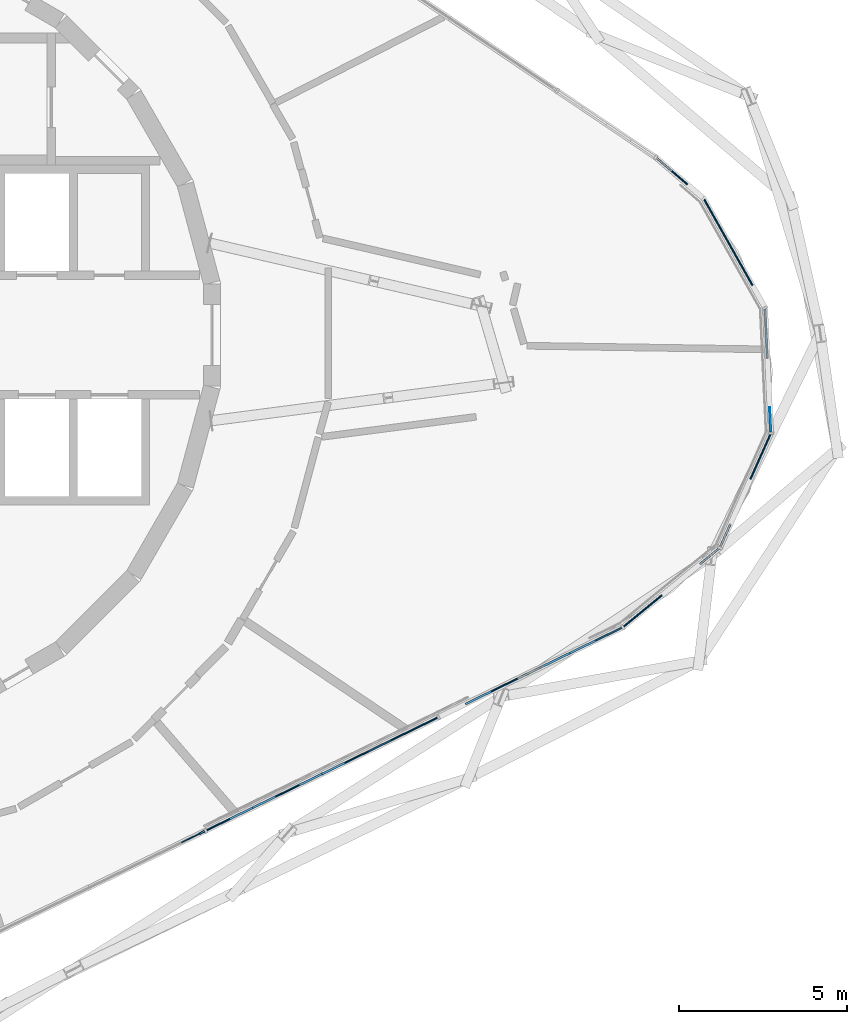
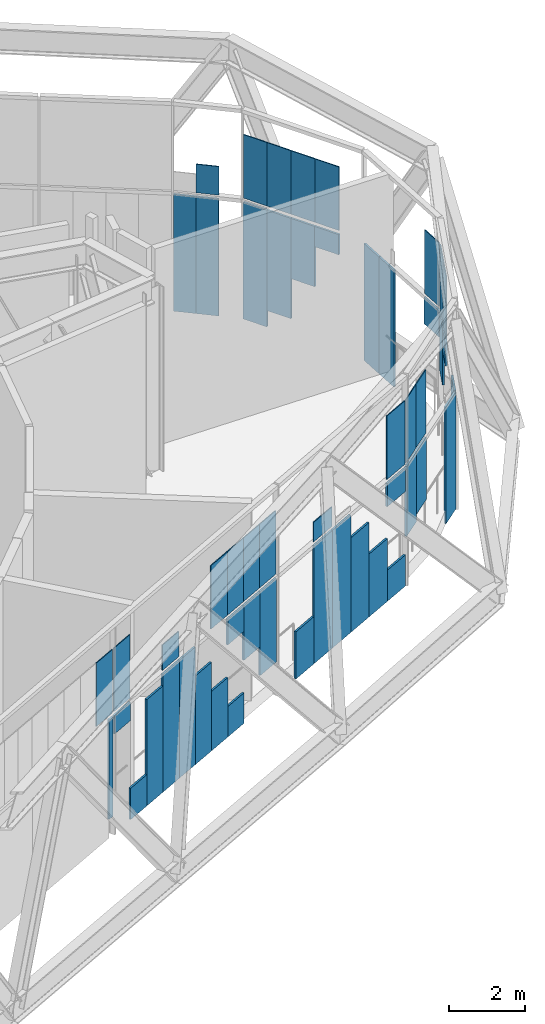
# One storey, part 12 of 24: 53 plates, 2 elements without a shape of their own.
"""IFC4 building model written with IfcOpenShell, lengths in metres."""

from ifc_helpers import new_model, si_unit, direction, frame, origin, origin_2d, place, context, subcontext, project, spatial, rectangle, extrude, material, layer, layer_set, type_object, element, aggregate, save


model = new_model("IFC4")

# Units and contexts
model_context = context("Model", 3, precision=1e-05, world=origin(), true_north=direction((0.0, 1.0)))
body_context = subcontext(model_context, "Body", "Model", "MODEL_VIEW")
ifc_project = project(units=[si_unit("LENGTHUNIT", "METRE"), si_unit("AREAUNIT", "SQUARE_METRE"), si_unit("VOLUMEUNIT", "CUBIC_METRE"), si_unit("PLANEANGLEUNIT", "RADIAN"), si_unit("MASSUNIT", "GRAM", prefix="KILO")], contexts=[model_context])

# Site, building, storey
site_placement = place(None, origin())
site = spatial("IfcSite", under=ifc_project, at=site_placement, CompositionType="ELEMENT")
building_placement = place(site_placement, origin())
building = spatial("IfcBuilding", under=site, at=building_placement, Name="Spindle Arch Residences", CompositionType="ELEMENT")
storey_placement = place(building_placement, frame((0.0, 0.0, 219.89990234375)))
storey = spatial("IfcBuildingStorey", under=building, at=storey_placement, Name="L56", CompositionType="ELEMENT", Elevation=219.89990234375)

# Curtain wall, plates
ifc_material_1 = material(Name="Aluminium bronze unitised frame with tinted glass", Category="aluminium")
ifc_layer_1 = layer(ifc_material_1, 0.159912109375)
ifc_layer_set_1 = layer_set([ifc_layer_1], Name="CW-E double-height winter garden wall")
curtain_wall_type = type_object("IfcCurtainWallType", Name="CW-E double-height winter garden wall", PredefinedType="NOTDEFINED", material=ifc_layer_set_1)
curtain_wall_1_placement = place(storey_placement, origin())
curtain_wall_1 = element("IfcCurtainWall", 1, at=curtain_wall_1_placement, inside=storey, type_object=curtain_wall_type, Name="CW-E L56 run 1", PredefinedType="NOTDEFINED")
ifc_material_2 = material(Name="Tinted laminated glass 28 mm", Category="glass")
ifc_layer_2 = layer(ifc_material_2, 0.028076171875)
ifc_layer_set_2 = layer_set([ifc_layer_2], Name="Tinted glass panel 28 mm")
plate_type_1 = type_object("IfcPlateType", Name="Tinted glass panel 28 mm", PredefinedType="CURTAIN_PANEL", material=ifc_layer_set_2)
plate_1_placement = place(storey_placement, frame((20.341064453125, -10.39599609375, 3.4599609375), z_axis=(0.0, 0.0, 1.0), x_axis=(0.898794046299, 0.438371146789, 0.0)))
plate_1 = element("IfcPlate", 2, at=plate_1_placement, type_object=plate_type_1, Name="CW-E panel 00b.1", PredefinedType="CURTAIN_PANEL", context=body_context, shape_type="SweptSolid", body=[
    extrude(rectangle(XDim=0.86181640625, YDim=0.028076171875, at=origin_2d()), origin(), (0.0, 0.0, 1.0), 0.631103515625),
])
plate_2_placement = place(storey_placement, frame((23.439697265625, -8.884765625, 3.460205078125), z_axis=(0.0, 0.0, 1.0), x_axis=(0.898794046299, 0.438371146789, 0.0)))
plate_2 = element("IfcPlate", 3, at=plate_2_placement, type_object=plate_type_1, Name="CW-E panel 00b.3", PredefinedType="CURTAIN_PANEL", context=body_context, shape_type="SweptSolid", body=[
    extrude(rectangle(XDim=0.86181640625, YDim=0.028076171875, at=origin_2d()), origin(), (0.0, 0.0, 1.0), 2.0458984375),
])
plate_3_placement = place(storey_placement, frame((24.160888671875, -8.43115234375, 3.460205078125), z_axis=(0.0, 0.0, 1.0), x_axis=(0.773471595747, 0.633830963722, 0.0)))
plate_3 = element("IfcPlate", 4, at=plate_3_placement, type_object=plate_type_1, Name="CW-E panel 01b.1", PredefinedType="CURTAIN_PANEL", context=body_context, shape_type="SweptSolid", body=[
    extrude(rectangle(XDim=0.7333984375, YDim=0.028076171875, at=origin_2d()), origin(), (0.0, 0.0, 1.0), 2.0458984375),
])
plate_4_placement = place(storey_placement, frame((24.72802734375, -7.96630859375, 3.460205078125), z_axis=(0.0, 0.0, 1.0), x_axis=(0.773471595747, 0.633830963722, 0.0)))
plate_4 = element("IfcPlate", 5, at=plate_4_placement, type_object=plate_type_1, Name="CW-E panel 01b.2", PredefinedType="CURTAIN_PANEL", context=body_context, shape_type="SweptSolid", body=[
    extrude(rectangle(XDim=0.7333984375, YDim=0.028076171875, at=origin_2d()), origin(), (0.0, 0.0, 1.0), 2.0458984375),
])
plate_5_placement = place(storey_placement, frame((27.792724609375, -3.9482421875, 3.460205078125), z_axis=(0.0, 0.0, 1.0), x_axis=(0.406736642422, 0.913545457934, 0.0)))
plate_5 = element("IfcPlate", 6, at=plate_5_placement, type_object=plate_type_1, Name="CW-E panel 02b.2", PredefinedType="CURTAIN_PANEL", context=body_context, shape_type="SweptSolid", body=[
    extrude(rectangle(XDim=0.7333984375, YDim=0.028076171875, at=origin_2d()), origin(), (0.0, 0.0, 1.0), 2.0458984375),
])
plate_6_placement = place(storey_placement, frame((28.091064453125, -3.2783203125, 3.460205078125), z_axis=(0.0, 0.0, 1.0), x_axis=(0.406736642422, 0.913545457934, 0.0)))
plate_6 = element("IfcPlate", 7, at=plate_6_placement, type_object=plate_type_1, Name="CW-E panel 02b.3", PredefinedType="CURTAIN_PANEL", context=body_context, shape_type="SweptSolid", body=[
    extrude(rectangle(XDim=0.7333984375, YDim=0.028076171875, at=origin_2d()), origin(), (0.0, 0.0, 1.0), 2.0458984375),
])
plate_7_placement = place(storey_placement, frame((28.23388671875, -2.519775390625, 3.460205078125), z_axis=(0.0, 0.0, 1.0), x_axis=(-0.046525313877, 0.99891711126, 0.0)))
plate_7 = element("IfcPlate", 8, at=plate_7_placement, type_object=plate_type_1, Name="CW-E panel 03b.1", PredefinedType="CURTAIN_PANEL", context=body_context, shape_type="SweptSolid", body=[
    extrude(rectangle(XDim=0.7333984375, YDim=0.028076171875, at=origin_2d()), origin(), (0.0, 0.0, 1.0), 2.0458984375),
])
plate_8_placement = place(storey_placement, frame((27.525390625, 1.7919921875, 3.460205078125), z_axis=(0.0, 0.0, 1.0), x_axis=(-0.489889716377, 0.871784414743, 0.0)))
plate_8 = element("IfcPlate", 9, at=plate_8_placement, type_object=plate_type_1, Name="CW-E panel 04b.1", PredefinedType="CURTAIN_PANEL", context=body_context, shape_type="SweptSolid", body=[
    extrude(rectangle(XDim=0.7333984375, YDim=0.028076171875, at=origin_2d()), origin(), (0.0, 0.0, 1.0), 2.0458984375),
])
plate_9_placement = place(storey_placement, frame((27.166015625, 2.43115234375, 3.460205078125), z_axis=(0.0, 0.0, 1.0), x_axis=(-0.489889716377, 0.871784414743, 0.0)))
plate_9 = element("IfcPlate", 10, at=plate_9_placement, type_object=plate_type_1, Name="CW-E panel 04b.2", PredefinedType="CURTAIN_PANEL", context=body_context, shape_type="SweptSolid", body=[
    extrude(rectangle(XDim=0.7333984375, YDim=0.028076171875, at=origin_2d()), origin(), (0.0, 0.0, 1.0), 2.0458984375),
])
plate_10_placement = place(storey_placement, frame((26.806884765625, 3.070556640625, 3.460205078125), z_axis=(0.0, 0.0, 1.0), x_axis=(-0.489889716377, 0.871784414743, 0.0)))
plate_10 = element("IfcPlate", 11, at=plate_10_placement, type_object=plate_type_1, Name="CW-E panel 04b.3", PredefinedType="CURTAIN_PANEL", context=body_context, shape_type="SweptSolid", body=[
    extrude(rectangle(XDim=0.7333984375, YDim=0.028076171875, at=origin_2d()), origin(), (0.0, 0.0, 1.0), 2.0458984375),
])
plate_11_placement = place(storey_placement, frame((26.447509765625, 3.7099609375, 3.460205078125), z_axis=(0.0, 0.0, 1.0), x_axis=(-0.489889716377, 0.871784414743, 0.0)))
plate_11 = element("IfcPlate", 12, at=plate_11_placement, type_object=plate_type_1, Name="CW-E panel 04b.4", PredefinedType="CURTAIN_PANEL", context=body_context, shape_type="SweptSolid", body=[
    extrude(rectangle(XDim=0.7333984375, YDim=0.028076171875, at=origin_2d()), origin(), (0.0, 0.0, 1.0), 2.0458984375),
])
plate_12_placement = place(storey_placement, frame((25.541748046875, 4.6669921875, 3.4599609375), z_axis=(0.0, 0.0, 1.0), x_axis=(-0.758513582867, 0.651657229382, 0.0)))
plate_12 = element("IfcPlate", 13, at=plate_12_placement, type_object=plate_type_1, Name="CW-E panel 05b.1", PredefinedType="CURTAIN_PANEL", context=body_context, shape_type="SweptSolid", body=[
    extrude(rectangle(XDim=0.60546875, YDim=0.028076171875, at=origin_2d()), origin(), (0.0, 0.0, 1.0), 0.920166015625),
])

curtain_wall_2_placement = place(storey_placement, origin())
curtain_wall_2 = element("IfcCurtainWall", 14, at=curtain_wall_2_placement, inside=storey, type_object=curtain_wall_type, Name="CW-E L56 run 6", PredefinedType="NOTDEFINED")
plate_13_placement = place(storey_placement, frame((11.092529296875, -14.90673828125, 3.460205078125), z_axis=(0.0, 0.0, 1.0), x_axis=(0.898794046299, 0.438371146789, 0.0)))
plate_13 = element("IfcPlate", 15, at=plate_13_placement, type_object=plate_type_1, Name="CW-E panel 21Bb.5", PredefinedType="CURTAIN_PANEL", context=body_context, shape_type="SweptSolid", body=[
    extrude(rectangle(XDim=0.763427734375, YDim=0.028076171875, at=origin_2d()), origin(), (0.0, 0.0, 1.0), 2.0458984375),
])
plate_14_placement = place(storey_placement, frame((11.83251953125, -14.5458984375, 3.460205078125), z_axis=(0.0, 0.0, 1.0), x_axis=(0.898794046299, 0.438371146789, 0.0)))
plate_14 = element("IfcPlate", 16, at=plate_14_placement, type_object=plate_type_1, Name="CW-E panel 00Ab.1", PredefinedType="CURTAIN_PANEL", context=body_context, shape_type="SweptSolid", body=[
    extrude(rectangle(XDim=0.763427734375, YDim=0.028076171875, at=origin_2d()), origin(), (0.0, 0.0, 1.0), 2.0458984375),
])
plate_15_placement = place(storey_placement, frame((13.890869140625, -13.5419921875, 3.4599609375), z_axis=(0.0, 0.0, 1.0), x_axis=(0.898794046299, 0.438371146789, 0.0)))
plate_15 = element("IfcPlate", 17, at=plate_15_placement, type_object=plate_type_1, Name="CW-E panel 00Ab.2", PredefinedType="CURTAIN_PANEL", context=body_context, shape_type="SweptSolid", body=[
    extrude(rectangle(XDim=0.763427734375, YDim=0.028076171875, at=origin_2d()), origin(), (0.0, 0.0, 1.0), 0.81640625),
])
plate_16_placement = place(storey_placement, frame((15.94921875, -12.5380859375, 3.460205078125), z_axis=(0.0, 0.0, 1.0), x_axis=(0.898794046299, 0.438371146789, 0.0)))
plate_16 = element("IfcPlate", 18, at=plate_16_placement, type_object=plate_type_1, Name="CW-E panel 00Bb.1", PredefinedType="CURTAIN_PANEL", context=body_context, shape_type="SweptSolid", body=[
    extrude(rectangle(XDim=0.763427734375, YDim=0.028076171875, at=origin_2d()), origin(), (0.0, 0.0, 1.0), 2.0458984375),
])
plate_17_placement = place(storey_placement, frame((16.63525390625, -12.203369140625, 3.460205078125), z_axis=(0.0, 0.0, 1.0), x_axis=(0.898794046299, 0.438371146789, 0.0)))
plate_17 = element("IfcPlate", 19, at=plate_17_placement, type_object=plate_type_1, Name="CW-E panel 00Bb.2", PredefinedType="CURTAIN_PANEL", context=body_context, shape_type="SweptSolid", body=[
    extrude(rectangle(XDim=0.763427734375, YDim=0.028076171875, at=origin_2d()), origin(), (0.0, 0.0, 1.0), 2.0458984375),
])
plate_18_placement = place(storey_placement, frame((17.321533203125, -11.86865234375, 3.460205078125), z_axis=(0.0, 0.0, 1.0), x_axis=(0.898794046299, 0.438371146789, 0.0)))
plate_18 = element("IfcPlate", 20, at=plate_18_placement, type_object=plate_type_1, Name="CW-E panel 00Bb.3", PredefinedType="CURTAIN_PANEL", context=body_context, shape_type="SweptSolid", body=[
    extrude(rectangle(XDim=0.763427734375, YDim=0.028076171875, at=origin_2d()), origin(), (0.0, 0.0, 1.0), 2.0458984375),
])
plate_19_placement = place(storey_placement, frame((18.007568359375, -11.5341796875, 3.460205078125), z_axis=(0.0, 0.0, 1.0), x_axis=(0.898794046299, 0.438371146789, 0.0)))
plate_19 = element("IfcPlate", 21, at=plate_19_placement, type_object=plate_type_1, Name="CW-E panel 00Bb.4", PredefinedType="CURTAIN_PANEL", context=body_context, shape_type="SweptSolid", body=[
    extrude(rectangle(XDim=0.763427734375, YDim=0.028076171875, at=origin_2d()), origin(), (0.0, 0.0, 1.0), 2.0458984375),
])

# Plate
ifc_material_3 = material(Name="Tinted double glazing over aluminium faced non-combustible spandrel zone (K0)", Category="aluminium")
ifc_layer_3 = layer(ifc_material_3, 0.06005859375)
ifc_layer_set_3 = layer_set([ifc_layer_3], Name="Unitised glass panel with E 60 spandrel zone")
plate_type_2 = type_object("IfcPlateType", Name="Unitised glass panel with E 60 spandrel zone", PredefinedType="CURTAIN_PANEL", material=ifc_layer_set_3)
plate_20_placement = place(storey_placement, frame((19.56640625, -10.773681640625, -0.44970703125), z_axis=(0.0, 0.0, 1.0), x_axis=(0.898794046299, 0.438371146789, 0.0)))
plate_20 = element("IfcPlate", 22, at=plate_20_placement, type_object=plate_type_2, Name="CW-E panel 00a.1", PredefinedType="CURTAIN_PANEL", context=body_context, shape_type="SweptSolid", body=[
    extrude(rectangle(XDim=0.86181640625, YDim=0.06005859375, at=origin_2d()), origin(), (0.0, 0.0, 1.0), 1.517822265625),
])

plate_21_placement = place(storey_placement, frame((20.341064453125, -10.39599609375, -0.449951171875), z_axis=(0.0, 0.0, 1.0), x_axis=(0.898794046299, 0.438371146789, 0.0)))
plate_21 = element("IfcPlate", 23, at=plate_21_placement, type_object=plate_type_2, Name="CW-E panel 00a.2", PredefinedType="CURTAIN_PANEL", context=body_context, shape_type="SweptSolid", body=[
    extrude(rectangle(XDim=0.86181640625, YDim=0.06005859375, at=origin_2d()), origin(), (0.0, 0.0, 1.0), 3.7900390625),
])

plate_22_placement = place(storey_placement, frame((21.11572265625, -10.01806640625, -0.449951171875), z_axis=(0.0, 0.0, 1.0), x_axis=(0.898794046299, 0.438371146789, 0.0)))
plate_22 = element("IfcPlate", 24, at=plate_22_placement, type_object=plate_type_2, Name="CW-E panel 00a.3", PredefinedType="CURTAIN_PANEL", context=body_context, shape_type="SweptSolid", body=[
    extrude(rectangle(XDim=0.86181640625, YDim=0.06005859375, at=origin_2d()), origin(), (0.0, 0.0, 1.0), 3.7900390625),
])

plate_23_placement = place(storey_placement, frame((21.890380859375, -9.640380859375, -0.449951171875), z_axis=(0.0, 0.0, 1.0), x_axis=(0.898794046299, 0.438371146789, 0.0)))
plate_23 = element("IfcPlate", 25, at=plate_23_placement, type_object=plate_type_2, Name="CW-E panel 00a.4", PredefinedType="CURTAIN_PANEL", context=body_context, shape_type="SweptSolid", body=[
    extrude(rectangle(XDim=0.86181640625, YDim=0.06005859375, at=origin_2d()), origin(), (0.0, 0.0, 1.0), 3.0419921875),
])

plate_24_placement = place(storey_placement, frame((22.6650390625, -9.262451171875, -0.449951171875), z_axis=(0.0, 0.0, 1.0), x_axis=(0.898794046299, 0.438371146789, 0.0)))
plate_24 = element("IfcPlate", 26, at=plate_24_placement, type_object=plate_type_2, Name="CW-E panel 00a.5", PredefinedType="CURTAIN_PANEL", context=body_context, shape_type="SweptSolid", body=[
    extrude(rectangle(XDim=0.86181640625, YDim=0.06005859375, at=origin_2d()), origin(), (0.0, 0.0, 1.0), 2.0224609375),
])

plate_25_placement = place(storey_placement, frame((23.439697265625, -8.884765625, -0.449951171875), z_axis=(0.0, 0.0, 1.0), x_axis=(0.898794046299, 0.438371146789, 0.0)))
plate_25 = element("IfcPlate", 27, at=plate_25_placement, type_object=plate_type_2, Name="CW-E panel 00a.6", PredefinedType="CURTAIN_PANEL", context=body_context, shape_type="SweptSolid", body=[
    extrude(rectangle(XDim=0.86181640625, YDim=0.06005859375, at=origin_2d()), origin(), (0.0, 0.0, 1.0), 1.0029296875),
])

plate_26_placement = place(storey_placement, frame((23.439697265625, -8.884765625, 2.594970703125), z_axis=(0.0, 0.0, 1.0), x_axis=(0.898794046299, 0.438371146789, 0.0)))
plate_26 = element("IfcPlate", 28, at=plate_26_placement, type_object=plate_type_2, Name="CW-E panel 00a.7", PredefinedType="CURTAIN_PANEL", context=body_context, shape_type="SweptSolid", body=[
    extrude(rectangle(XDim=0.86181640625, YDim=0.06005859375, at=origin_2d()), origin(), (0.0, 0.0, 1.0), 0.7451171875),
])

plate_27_placement = place(storey_placement, frame((24.160888671875, -8.43115234375, 1.09814453125), z_axis=(0.0, 0.0, 1.0), x_axis=(0.773471595747, 0.633830963722, 0.0)))
plate_27 = element("IfcPlate", 29, at=plate_27_placement, type_object=plate_type_2, Name="CW-E panel 01a.1", PredefinedType="CURTAIN_PANEL", context=body_context, shape_type="SweptSolid", body=[
    extrude(rectangle(XDim=0.7333984375, YDim=0.06005859375, at=origin_2d()), origin(), (0.0, 0.0, 1.0), 2.241943359375),
])

plate_28_placement = place(storey_placement, frame((24.72802734375, -7.96630859375, 1.33251953125), z_axis=(0.0, 0.0, 1.0), x_axis=(0.773471595747, 0.633830963722, 0.0)))
plate_28 = element("IfcPlate", 30, at=plate_28_placement, type_object=plate_type_2, Name="CW-E panel 01a.2", PredefinedType="CURTAIN_PANEL", context=body_context, shape_type="SweptSolid", body=[
    extrude(rectangle(XDim=0.7333984375, YDim=0.06005859375, at=origin_2d()), origin(), (0.0, 0.0, 1.0), 2.007568359375),
])

plate_29_placement = place(storey_placement, frame((26.4296875, -6.57177734375, -0.419921875), z_axis=(0.0, 0.0, 1.0), x_axis=(0.773471595747, 0.633830963722, 0.0)))
plate_29 = element("IfcPlate", 31, at=plate_29_placement, type_object=plate_type_2, Name="CW-E panel 01a.3", PredefinedType="CURTAIN_PANEL", context=body_context, shape_type="SweptSolid", body=[
    extrude(rectangle(XDim=0.7333984375, YDim=0.06005859375, at=origin_2d()), origin(), (0.0, 0.0, 1.0), 3.760009765625),
])

plate_30_placement = place(storey_placement, frame((26.89794921875, -5.9580078125, -0.419921875), z_axis=(0.0, 0.0, 1.0), x_axis=(0.406736642422, 0.913545457934, 0.0)))
plate_30 = element("IfcPlate", 32, at=plate_30_placement, type_object=plate_type_2, Name="CW-E panel 02a.1", PredefinedType="CURTAIN_PANEL", context=body_context, shape_type="SweptSolid", body=[
    extrude(rectangle(XDim=0.7333984375, YDim=0.06005859375, at=origin_2d()), origin(), (0.0, 0.0, 1.0), 3.760009765625),
])

plate_31_placement = place(storey_placement, frame((27.792724609375, -3.9482421875, 2.612060546875), z_axis=(0.0, 0.0, 1.0), x_axis=(0.406736642422, 0.913545457934, 0.0)))
plate_31 = element("IfcPlate", 33, at=plate_31_placement, type_object=plate_type_2, Name="CW-E panel 02a.2", PredefinedType="CURTAIN_PANEL", context=body_context, shape_type="SweptSolid", body=[
    extrude(rectangle(XDim=0.7333984375, YDim=0.06005859375, at=origin_2d()), origin(), (0.0, 0.0, 1.0), 0.72802734375),
])

plate_32_placement = place(storey_placement, frame((28.091064453125, -3.2783203125, 1.482177734375), z_axis=(0.0, 0.0, 1.0), x_axis=(0.406736642422, 0.913545457934, 0.0)))
plate_32 = element("IfcPlate", 34, at=plate_32_placement, type_object=plate_type_2, Name="CW-E panel 02a.3", PredefinedType="CURTAIN_PANEL", context=body_context, shape_type="SweptSolid", body=[
    extrude(rectangle(XDim=0.7333984375, YDim=0.06005859375, at=origin_2d()), origin(), (0.0, 0.0, 1.0), 1.85791015625),
])

plate_33_placement = place(storey_placement, frame((28.23388671875, -2.519775390625, 2.491943359375), z_axis=(0.0, 0.0, 1.0), x_axis=(-0.046525313877, 0.99891711126, 0.0)))
plate_33 = element("IfcPlate", 35, at=plate_33_placement, type_object=plate_type_2, Name="CW-E panel 03a.1", PredefinedType="CURTAIN_PANEL", context=body_context, shape_type="SweptSolid", body=[
    extrude(rectangle(XDim=0.7333984375, YDim=0.06005859375, at=origin_2d()), origin(), (0.0, 0.0, 1.0), 0.84814453125),
])

plate_34_placement = place(storey_placement, frame((28.131591796875, -0.322021484375, -0.419921875), z_axis=(0.0, 0.0, 1.0), x_axis=(-0.046525313877, 0.99891711126, 0.0)))
plate_34 = element("IfcPlate", 36, at=plate_34_placement, type_object=plate_type_2, Name="CW-E panel 03a.2", PredefinedType="CURTAIN_PANEL", context=body_context, shape_type="SweptSolid", body=[
    extrude(rectangle(XDim=0.7333984375, YDim=0.06005859375, at=origin_2d()), origin(), (0.0, 0.0, 1.0), 3.760009765625),
])

plate_35_placement = place(storey_placement, frame((28.097412109375, 0.41064453125, -0.419921875), z_axis=(0.0, 0.0, 1.0), x_axis=(-0.046525313877, 0.99891711126, 0.0)))
plate_35 = element("IfcPlate", 37, at=plate_35_placement, type_object=plate_type_2, Name="CW-E panel 03a.3", PredefinedType="CURTAIN_PANEL", context=body_context, shape_type="SweptSolid", body=[
    extrude(rectangle(XDim=0.7333984375, YDim=0.06005859375, at=origin_2d()), origin(), (0.0, 0.0, 1.0), 3.760009765625),
])

plate_36_placement = place(storey_placement, frame((27.525390625, 1.7919921875, 2.687255859375), z_axis=(0.0, 0.0, 1.0), x_axis=(-0.489889716377, 0.871784414743, 0.0)))
plate_36 = element("IfcPlate", 38, at=plate_36_placement, type_object=plate_type_2, Name="CW-E panel 04a.1", PredefinedType="CURTAIN_PANEL", context=body_context, shape_type="SweptSolid", body=[
    extrude(rectangle(XDim=0.7333984375, YDim=0.06005859375, at=origin_2d()), origin(), (0.0, 0.0, 1.0), 0.65283203125),
])

plate_37_placement = place(storey_placement, frame((27.166015625, 2.43115234375, 1.397216796875), z_axis=(0.0, 0.0, 1.0), x_axis=(-0.489889716377, 0.871784414743, 0.0)))
plate_37 = element("IfcPlate", 39, at=plate_37_placement, type_object=plate_type_2, Name="CW-E panel 04a.2", PredefinedType="CURTAIN_PANEL", context=body_context, shape_type="SweptSolid", body=[
    extrude(rectangle(XDim=0.7333984375, YDim=0.06005859375, at=origin_2d()), origin(), (0.0, 0.0, 1.0), 1.94287109375),
])

plate_38_placement = place(storey_placement, frame((26.806884765625, 3.070556640625, 0.107177734375), z_axis=(0.0, 0.0, 1.0), x_axis=(-0.489889716377, 0.871784414743, 0.0)))
plate_38 = element("IfcPlate", 40, at=plate_38_placement, type_object=plate_type_2, Name="CW-E panel 04a.3", PredefinedType="CURTAIN_PANEL", context=body_context, shape_type="SweptSolid", body=[
    extrude(rectangle(XDim=0.7333984375, YDim=0.06005859375, at=origin_2d()), origin(), (0.0, 0.0, 1.0), 3.23291015625),
])

plate_39_placement = place(storey_placement, frame((26.447509765625, 3.7099609375, -0.419921875), z_axis=(0.0, 0.0, 1.0), x_axis=(-0.489889716377, 0.871784414743, 0.0)))
plate_39 = element("IfcPlate", 41, at=plate_39_placement, type_object=plate_type_2, Name="CW-E panel 04a.4", PredefinedType="CURTAIN_PANEL", context=body_context, shape_type="SweptSolid", body=[
    extrude(rectangle(XDim=0.7333984375, YDim=0.06005859375, at=origin_2d()), origin(), (0.0, 0.0, 1.0), 3.760009765625),
])

plate_40_placement = place(storey_placement, frame((25.541748046875, 4.6669921875, -0.419921875), z_axis=(0.0, 0.0, 1.0), x_axis=(-0.758513582867, 0.651657229382, 0.0)))
plate_40 = element("IfcPlate", 42, at=plate_40_placement, type_object=plate_type_2, Name="CW-E panel 05a.1", PredefinedType="CURTAIN_PANEL", context=body_context, shape_type="SweptSolid", body=[
    extrude(rectangle(XDim=0.60546875, YDim=0.06005859375, at=origin_2d()), origin(), (0.0, 0.0, 1.0), 3.760009765625),
])

plate_41_placement = place(storey_placement, frame((25.08251953125, 5.0615234375, -0.419921875), z_axis=(0.0, 0.0, 1.0), x_axis=(-0.758513582867, 0.651657229382, 0.0)))
plate_41 = element("IfcPlate", 43, at=plate_41_placement, type_object=plate_type_2, Name="CW-E panel 05a.2", PredefinedType="CURTAIN_PANEL", context=body_context, shape_type="SweptSolid", body=[
    extrude(rectangle(XDim=0.60546875, YDim=0.06005859375, at=origin_2d()), origin(), (0.0, 0.0, 1.0), 3.760009765625),
])

aggregate(curtain_wall_1, [plate_20, plate_21, plate_22, plate_23, plate_24, plate_25, plate_26, plate_1, plate_2, plate_27, plate_28, plate_29, plate_3, plate_4, plate_30, plate_31, plate_32, plate_5, plate_6, plate_33, plate_34, plate_35, plate_7, plate_36, plate_37, plate_38, plate_39, plate_8, plate_9, plate_10, plate_11, plate_40, plate_41, plate_12])

plate_42_placement = place(storey_placement, frame((11.351318359375, -14.780517578125, 0.142822265625), z_axis=(0.0, 0.0, 1.0), x_axis=(0.898794046299, 0.438371146789, 0.0)))
plate_42 = element("IfcPlate", 44, at=plate_42_placement, type_object=plate_type_2, Name="CW-E panel 21Ba.2", PredefinedType="CURTAIN_PANEL", context=body_context, shape_type="SweptSolid", body=[
    extrude(rectangle(XDim=0.1875, YDim=0.06005859375, at=origin_2d()), origin(), (0.0, 0.0, 1.0), 3.197265625),
])

plate_43_placement = place(storey_placement, frame((11.83251953125, -14.5458984375, 2.74609375), z_axis=(0.0, 0.0, 1.0), x_axis=(0.898794046299, 0.438371146789, 0.0)))
plate_43 = element("IfcPlate", 45, at=plate_43_placement, type_object=plate_type_2, Name="CW-E panel 00Aa.1", PredefinedType="CURTAIN_PANEL", context=body_context, shape_type="SweptSolid", body=[
    extrude(rectangle(XDim=0.763427734375, YDim=0.06005859375, at=origin_2d()), origin(), (0.0, 0.0, 1.0), 0.593994140625),
])

plate_44_placement = place(storey_placement, frame((12.5185546875, -14.211181640625, -0.449951171875), z_axis=(0.0, 0.0, 1.0), x_axis=(0.898794046299, 0.438371146789, 0.0)))
plate_44 = element("IfcPlate", 46, at=plate_44_placement, type_object=plate_type_2, Name="CW-E panel 00Aa.2", PredefinedType="CURTAIN_PANEL", context=body_context, shape_type="SweptSolid", body=[
    extrude(rectangle(XDim=0.763427734375, YDim=0.06005859375, at=origin_2d()), origin(), (0.0, 0.0, 1.0), 1.00732421875),
])

plate_45_placement = place(storey_placement, frame((13.204833984375, -13.87646484375, -0.449951171875), z_axis=(0.0, 0.0, 1.0), x_axis=(0.898794046299, 0.438371146789, 0.0)))
plate_45 = element("IfcPlate", 47, at=plate_45_placement, type_object=plate_type_2, Name="CW-E panel 00Aa.3", PredefinedType="CURTAIN_PANEL", context=body_context, shape_type="SweptSolid", body=[
    extrude(rectangle(XDim=0.763427734375, YDim=0.06005859375, at=origin_2d()), origin(), (0.0, 0.0, 1.0), 3.4208984375),
])

plate_46_placement = place(storey_placement, frame((13.890869140625, -13.5419921875, -0.449951171875), z_axis=(0.0, 0.0, 1.0), x_axis=(0.898794046299, 0.438371146789, 0.0)))
plate_46 = element("IfcPlate", 48, at=plate_46_placement, type_object=plate_type_2, Name="CW-E panel 00Aa.4", PredefinedType="CURTAIN_PANEL", context=body_context, shape_type="SweptSolid", body=[
    extrude(rectangle(XDim=0.763427734375, YDim=0.06005859375, at=origin_2d()), origin(), (0.0, 0.0, 1.0), 3.7900390625),
])

plate_47_placement = place(storey_placement, frame((14.576904296875, -13.207275390625, -0.44970703125), z_axis=(0.0, 0.0, 1.0), x_axis=(0.898794046299, 0.438371146789, 0.0)))
plate_47 = element("IfcPlate", 49, at=plate_47_placement, type_object=plate_type_2, Name="CW-E panel 00Aa.5", PredefinedType="CURTAIN_PANEL", context=body_context, shape_type="SweptSolid", body=[
    extrude(rectangle(XDim=0.763427734375, YDim=0.06005859375, at=origin_2d()), origin(), (0.0, 0.0, 1.0), 3.789794921875),
])

plate_48_placement = place(storey_placement, frame((15.26318359375, -12.87255859375, -0.44970703125), z_axis=(0.0, 0.0, 1.0), x_axis=(0.898794046299, 0.438371146789, 0.0)))
plate_48 = element("IfcPlate", 50, at=plate_48_placement, type_object=plate_type_2, Name="CW-E panel 00Ba.1", PredefinedType="CURTAIN_PANEL", context=body_context, shape_type="SweptSolid", body=[
    extrude(rectangle(XDim=0.763427734375, YDim=0.06005859375, at=origin_2d()), origin(), (0.0, 0.0, 1.0), 2.853271484375),
])

plate_49_placement = place(storey_placement, frame((15.94921875, -12.5380859375, -0.449951171875), z_axis=(0.0, 0.0, 1.0), x_axis=(0.898794046299, 0.438371146789, 0.0)))
plate_49 = element("IfcPlate", 51, at=plate_49_placement, type_object=plate_type_2, Name="CW-E panel 00Ba.2", PredefinedType="CURTAIN_PANEL", context=body_context, shape_type="SweptSolid", body=[
    extrude(rectangle(XDim=0.763427734375, YDim=0.06005859375, at=origin_2d()), origin(), (0.0, 0.0, 1.0), 1.9169921875),
])

plate_50_placement = place(storey_placement, frame((16.63525390625, -12.203369140625, -0.449951171875), z_axis=(0.0, 0.0, 1.0), x_axis=(0.898794046299, 0.438371146789, 0.0)))
plate_50 = element("IfcPlate", 52, at=plate_50_placement, type_object=plate_type_2, Name="CW-E panel 00Ba.3", PredefinedType="CURTAIN_PANEL", context=body_context, shape_type="SweptSolid", body=[
    extrude(rectangle(XDim=0.763427734375, YDim=0.06005859375, at=origin_2d()), origin(), (0.0, 0.0, 1.0), 0.98046875),
])

plate_51_placement = place(storey_placement, frame((16.63525390625, -12.203369140625, 2.511474609375), z_axis=(0.0, 0.0, 1.0), x_axis=(0.898794046299, 0.438371146789, 0.0)))
plate_51 = element("IfcPlate", 53, at=plate_51_placement, type_object=plate_type_2, Name="CW-E panel 00Ba.4", PredefinedType="CURTAIN_PANEL", context=body_context, shape_type="SweptSolid", body=[
    extrude(rectangle(XDim=0.763427734375, YDim=0.06005859375, at=origin_2d()), origin(), (0.0, 0.0, 1.0), 0.82861328125),
])

plate_52_placement = place(storey_placement, frame((17.321533203125, -11.86865234375, 1.5751953125), z_axis=(0.0, 0.0, 1.0), x_axis=(0.898794046299, 0.438371146789, 0.0)))
plate_52 = element("IfcPlate", 54, at=plate_52_placement, type_object=plate_type_2, Name="CW-E panel 00Ba.5", PredefinedType="CURTAIN_PANEL", context=body_context, shape_type="SweptSolid", body=[
    extrude(rectangle(XDim=0.763427734375, YDim=0.06005859375, at=origin_2d()), origin(), (0.0, 0.0, 1.0), 1.764892578125),
])

plate_53_placement = place(storey_placement, frame((18.007568359375, -11.5341796875, 0.638671875), z_axis=(0.0, 0.0, 1.0), x_axis=(0.898794046299, 0.438371146789, 0.0)))
plate_53 = element("IfcPlate", 55, at=plate_53_placement, type_object=plate_type_2, Name="CW-E panel 00Ba.6", PredefinedType="CURTAIN_PANEL", context=body_context, shape_type="SweptSolid", body=[
    extrude(rectangle(XDim=0.763427734375, YDim=0.06005859375, at=origin_2d()), origin(), (0.0, 0.0, 1.0), 2.701416015625),
])

aggregate(curtain_wall_2, [plate_42, plate_13, plate_43, plate_44, plate_45, plate_46, plate_47, plate_14, plate_15, plate_48, plate_49, plate_50, plate_51, plate_52, plate_53, plate_16, plate_17, plate_18, plate_19])

save(model, "model.ifc")
